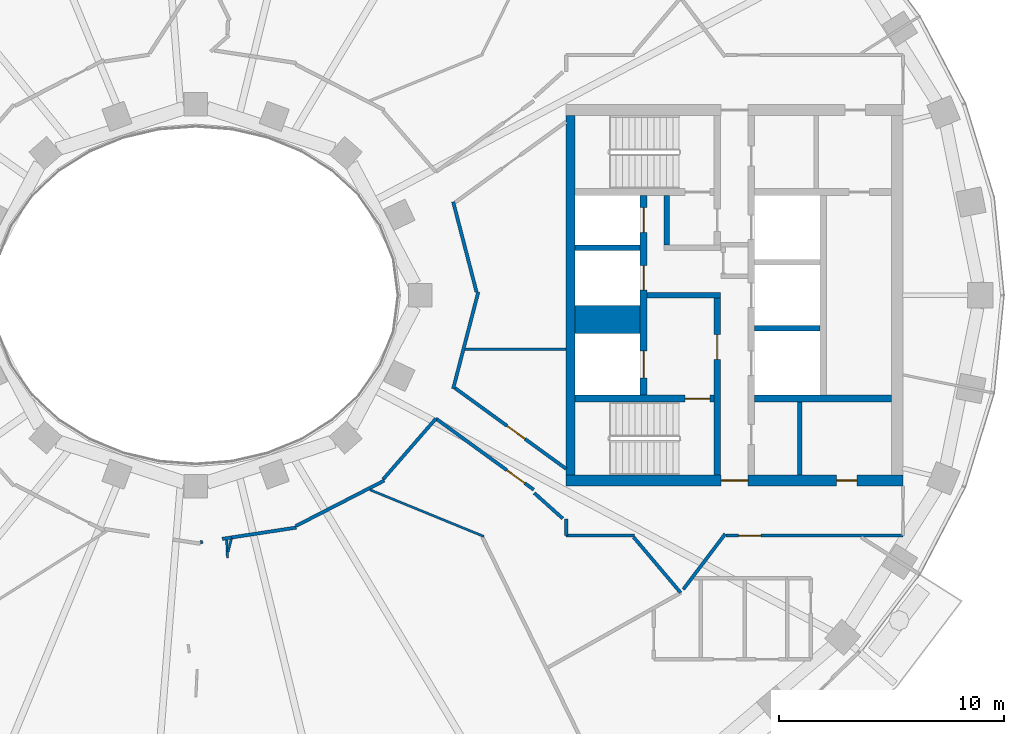
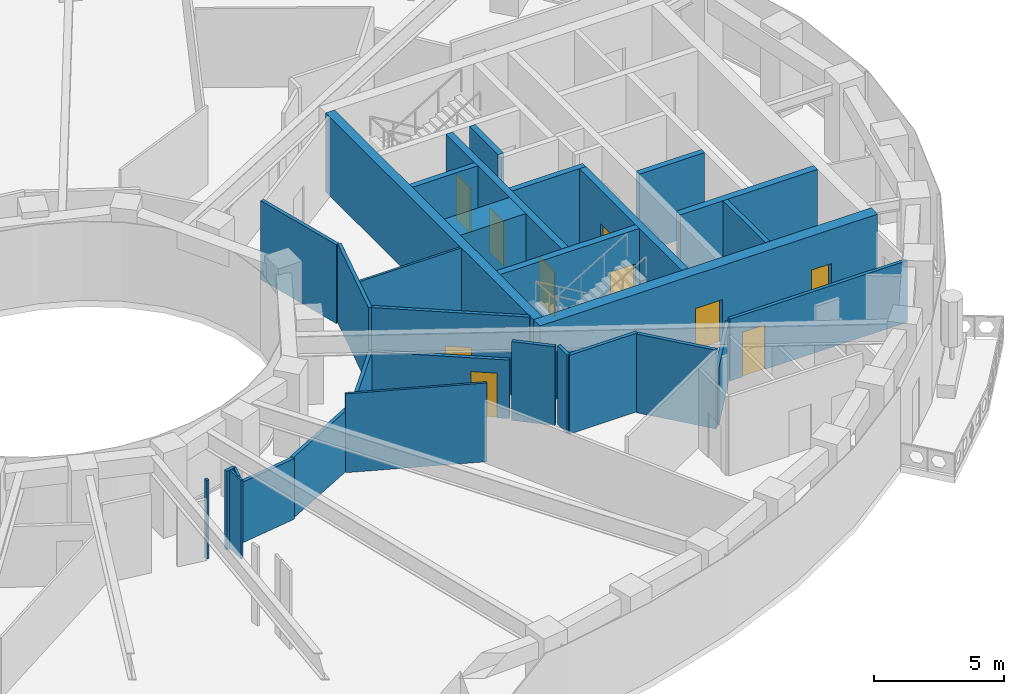
# One storey, part 5 of 17: 31 walls, 10 doors, 10 openings.
"""IFC4 building model written with IfcOpenShell, lengths in metres."""

from ifc_helpers import new_model, si_unit, direction, frame, frame_2d, origin, place, context, subcontext, project, spatial, rectangle, extrude, material, layer, layer_set, type_object, element, fill, save


model = new_model("IFC4")

# Units and contexts
model_context = context("Model", 3, precision=1e-05, world=origin(), true_north=direction((0.0, 1.0)))
body_context = subcontext(model_context, "Body", "Model", "MODEL_VIEW")
ifc_project = project(units=[si_unit("LENGTHUNIT", "METRE"), si_unit("AREAUNIT", "SQUARE_METRE"), si_unit("VOLUMEUNIT", "CUBIC_METRE"), si_unit("PLANEANGLEUNIT", "RADIAN"), si_unit("MASSUNIT", "GRAM", prefix="KILO")], contexts=[model_context])

# Site, building, storey
site_placement = place(None, origin())
site = spatial("IfcSite", under=ifc_project, at=site_placement, CompositionType="ELEMENT")
building_placement = place(site_placement, origin())
building = spatial("IfcBuilding", under=site, at=building_placement, Name="Noorbagh Ring Tower", CompositionType="ELEMENT")
storey_placement = place(building_placement, frame((0.0, 0.0, 190.0)))
storey = spatial("IfcBuildingStorey", under=building, at=storey_placement, Name="L44", CompositionType="ELEMENT", Elevation=190.0)

# Walls
ifc_material_1 = material(Name="Gypsum board on steel studs", Category="steel")
ifc_layer_1 = layer(ifc_material_1, 0.199951171875)
ifc_layer_set_1 = layer_set([ifc_layer_1], Name="Gypsum board on steel studs")
wall_type_1 = type_object("IfcWallType", Name="CORE-PARTITION-200", PredefinedType="PARTITIONING", material=ifc_layer_set_1)
wall_1_placement = place(storey_placement, frame((26.89990234375, -8.0, 0.0), z_axis=(0.0, 0.0, 1.0), x_axis=(0.0, 1.0, 0.0)))
element("IfcWall", 1, at=wall_1_placement, inside=storey, type_object=wall_type_1, Name="Core partition E", PredefinedType="PARTITIONING", context=body_context, shape_type="SweptSolid", body=[
    extrude(rectangle(XDim=3.25, YDim=0.199951171875, at=frame_2d((1.625, 0.0))), origin(), (0.0, 0.0, 1.0), 3.699951171875),
])
ifc_material_2 = material(Name="Concrete C60/75", Category="concrete")
ifc_layer_2 = layer(ifc_material_2, 1.25)
ifc_layer_set_2 = layer_set([ifc_layer_2], Name="Concrete C60/75")
wall_type_2 = type_object("IfcWallType", Name="CORE-WALL-1250-C60-75-EI120", PredefinedType="SHEAR", material=ifc_layer_set_2)
wall_2_placement = place(storey_placement, frame((16.89990234375, -1.074951171875, 0.0), z_axis=(0.0, 0.0, 1.0), x_axis=(1.0, 0.0, 0.0)))
element("IfcWall", 2, at=wall_2_placement, inside=storey, type_object=wall_type_2, Name="Core wall E", PredefinedType="SHEAR", context=body_context, shape_type="SweptSolid", body=[
    extrude(rectangle(XDim=2.900146484375, YDim=1.25, at=frame_2d((1.4501953125, 0.0))), origin(), (0.0, 0.0, 1.0), 3.699951171875),
])
ifc_material_3 = material(Name="Concrete C60/75", Category="concrete")
ifc_layer_3 = layer(ifc_material_3, 0.25)
ifc_layer_set_3 = layer_set([ifc_layer_3], Name="Concrete C60/75")
wall_type_3 = type_object("IfcWallType", Name="CORE-WALL-250-C60-75-EI120", PredefinedType="SHEAR", material=ifc_layer_set_3)
for number, where, z_axis, x_axis, name in (
    (3, (16.89990234375, 2.125, 0.0), (0.0, 0.0, 1.0), (1.0, 0.0, 0.0), "Core wall E"),
    (4, (24.89990234375, -1.47509765625, 0.0), (0.0, 0.0, 1.0), (1.0, 0.0, 0.0), "Core wall E"),
):
    element("IfcWall", number, at=place(storey_placement, frame(where, z_axis=z_axis, x_axis=x_axis)), inside=storey, type_object=wall_type_3, Name=name, PredefinedType="SHEAR", context=body_context, shape_type="SweptSolid", body=[
        extrude(rectangle(XDim=2.900146484375, YDim=0.25, at=frame_2d((1.4501953125, 0.0))), origin(), (0.0, 0.0, 1.0), 3.699951171875),
    ])
ifc_material_4 = material(Name="Concrete C60/75", Category="concrete")
ifc_layer_4 = layer(ifc_material_4, 0.25)
ifc_layer_set_4 = layer_set([ifc_layer_4], Name="Concrete C60/75")
wall_type_4 = type_object("IfcWallType", Name="CORE-WALL-250-C60-75-EI240", PredefinedType="SHEAR", material=ifc_layer_set_4)
wall_3_placement = place(storey_placement, frame((20.10009765625, 0.0, 0.0), z_axis=(0.0, 0.0, 1.0), x_axis=(1.0, 0.0, 0.0)))
element("IfcWall", 5, at=wall_3_placement, inside=storey, type_object=wall_type_4, Name="Core wall E", PredefinedType="SHEAR", context=body_context, shape_type="SweptSolid", body=[
    extrude(rectangle(XDim=3.27978515625, YDim=0.25, at=frame_2d((1.639892578125, 0.0))), origin(), (0.0, 0.0, 1.0), 3.699951171875),
])
wall_4_placement = place(storey_placement, frame((20.97509765625, 2.25, 0.0), z_axis=(0.0, 0.0, 1.0), x_axis=(0.0, 1.0, 0.0)))
element("IfcWall", 6, at=wall_4_placement, inside=storey, type_object=wall_type_4, Name="Core wall E", PredefinedType="SHEAR", context=body_context, shape_type="SweptSolid", body=[
    extrude(rectangle(XDim=2.199951171875, YDim=0.25, at=frame_2d((1.10009765625, 0.0))), origin(), (0.0, 0.0, 1.0), 3.699951171875),
])

# Wall, openings, doors
ifc_material_5 = material(Name="Concrete C60/75", Category="concrete")
ifc_layer_5 = layer(ifc_material_5, 0.300048828125)
ifc_layer_set_5 = layer_set([ifc_layer_5], Name="Concrete C60/75")
wall_type_5 = type_object("IfcWallType", Name="CORE-WALL-300-C60-75-EI120", PredefinedType="SHEAR", material=ifc_layer_set_5)
wall_5_placement = place(storey_placement, frame((19.949951171875, -4.449951171875, 0.0), z_axis=(0.0, 0.0, 1.0), x_axis=(0.0, 1.0, 0.0)))
wall_5 = element("IfcWall", 7, at=wall_5_placement, inside=storey, type_object=wall_type_5, Name="Core wall E", PredefinedType="SHEAR", context=body_context, shape_type="SweptSolid", body=[
    extrude(rectangle(XDim=8.89990234375, YDim=0.300048828125, at=frame_2d((4.449951171875, 0.0))), origin(), (0.0, 0.0, 1.0), 3.699951171875),
])
opening_1_placement = place(wall_5_placement, frame((0.77490234375, 0.0, 0.0)))
opening_1 = element("IfcOpeningElement", 8, at=opening_1_placement, cuts=wall_5, Name="Opening L44-CE01", PredefinedType="OPENING", context=body_context, shape_type="SweptSolid", body=[
    extrude(rectangle(XDim=1.199951171875, YDim=2.10009765625, at=frame_2d((0.60009765625, 1.050048828125))), frame((0.0, 0.16015625, 0.0), z_axis=(0.0, -1.0, 0.0), x_axis=(1.0, 0.0, 0.0)), (0.0, 0.0, 1.0), 0.320068359375),
])
opening_2_placement = place(wall_5_placement, frame((4.675048828125, 0.0, 0.0)))
opening_2 = element("IfcOpeningElement", 9, at=opening_2_placement, cuts=wall_5, Name="Opening L44-CE02", PredefinedType="OPENING", context=body_context, shape_type="SweptSolid", body=[
    extrude(rectangle(XDim=1.10009765625, YDim=2.10009765625, at=frame_2d((0.550048828125, 1.050048828125))), frame((0.0, 0.16015625, 0.0), z_axis=(0.0, -1.0, 0.0), x_axis=(1.0, 0.0, 0.0)), (0.0, 0.0, 1.0), 0.320068359375),
])
opening_3_placement = place(wall_5_placement, frame((7.25, 0.0, 0.0)))
opening_3 = element("IfcOpeningElement", 10, at=opening_3_placement, cuts=wall_5, Name="Opening L44-CE03", PredefinedType="OPENING", context=body_context, shape_type="SweptSolid", body=[
    extrude(rectangle(XDim=1.10009765625, YDim=2.10009765625, at=frame_2d((0.550048828125, 1.050048828125))), frame((0.0, 0.16015625, 0.0), z_axis=(0.0, -1.0, 0.0), x_axis=(1.0, 0.0, 0.0)), (0.0, 0.0, 1.0), 0.320068359375),
])
ifc_material_6 = material(Name="Steel door leaf", Category="steel")
door_type_1 = type_object("IfcDoorType", Name="CORE-DOOR-LD", OperationType="DOUBLE_DOOR_SLIDING", PredefinedType="DOOR", material=ifc_material_6)
door_1_placement = place(opening_2_placement, origin())
door_1 = element("IfcDoor", 11, at=door_1_placement, inside=storey, type_object=door_type_1, Name="Landing door HR7 L44-CE02", OperationType="DOUBLE_DOOR_SLIDING", OverallHeight=2.10009765625, OverallWidth=1.10009765625, PredefinedType="DOOR", context=body_context, shape_type="SweptSolid", body=[
    extrude(rectangle(XDim=1.10009765625, YDim=2.10009765625, at=frame_2d((0.550048828125, 1.050048828125))), frame((0.0, 0.02490234375, 0.0), z_axis=(0.0, -1.0, 0.0), x_axis=(1.0, 0.0, 0.0)), (0.0, 0.0, 1.0), 0.050048828125),
])
fill(opening_2, door_1)
door_2_placement = place(opening_3_placement, origin())
door_2 = element("IfcDoor", 12, at=door_2_placement, inside=storey, type_object=door_type_1, Name="Landing door HR8 L44-CE03", OperationType="DOUBLE_DOOR_SLIDING", OverallHeight=2.10009765625, OverallWidth=1.10009765625, PredefinedType="DOOR", context=body_context, shape_type="SweptSolid", body=[
    extrude(rectangle(XDim=1.10009765625, YDim=2.10009765625, at=frame_2d((0.550048828125, 1.050048828125))), frame((0.0, 0.02490234375, 0.0), z_axis=(0.0, -1.0, 0.0), x_axis=(1.0, 0.0, 0.0)), (0.0, 0.0, 1.0), 0.050048828125),
])
fill(opening_3, door_2)
ifc_material_7 = material(Name="Steel door leaf", Category="steel")
door_type_2 = type_object("IfcDoorType", Name="CORE-DOOR-LDW", OperationType="DOUBLE_DOOR_SLIDING", PredefinedType="DOOR", material=ifc_material_7)
door_3_placement = place(opening_1_placement, origin())
door_3 = element("IfcDoor", 13, at=door_3_placement, inside=storey, type_object=door_type_2, Name="Landing door FF2 L44-CE01", OperationType="DOUBLE_DOOR_SLIDING", OverallHeight=2.10009765625, OverallWidth=1.199951171875, PredefinedType="DOOR", context=body_context, shape_type="SweptSolid", body=[
    extrude(rectangle(XDim=1.199951171875, YDim=2.10009765625, at=frame_2d((0.60009765625, 1.050048828125))), frame((0.0, 0.02490234375, 0.0), z_axis=(0.0, -1.0, 0.0), x_axis=(1.0, 0.0, 0.0)), (0.0, 0.0, 1.0), 0.050048828125),
])
fill(opening_1, door_3)

# Wall
ifc_material_8 = material(Name="Concrete C60/75", Category="concrete")
ifc_layer_6 = layer(ifc_material_8, 0.300048828125)
ifc_layer_set_6 = layer_set([ifc_layer_6], Name="Concrete C60/75")
wall_type_6 = type_object("IfcWallType", Name="CORE-WALL-300-C60-75-EI240", PredefinedType="SHEAR", material=ifc_layer_set_6)
wall_6_placement = place(storey_placement, frame((24.89990234375, -4.60009765625, 0.0), z_axis=(0.0, 0.0, 1.0), x_axis=(1.0, 0.0, 0.0)))
element("IfcWall", 14, at=wall_6_placement, inside=storey, type_object=wall_type_6, Name="Core wall E", PredefinedType="SHEAR", context=body_context, shape_type="SweptSolid", body=[
    extrude(rectangle(XDim=6.10009765625, YDim=0.300048828125, at=frame_2d((3.050048828125, 0.0))), origin(), (0.0, 0.0, 1.0), 3.699951171875),
])

# Wall, opening, door
wall_7_placement = place(storey_placement, frame((23.22998046875, -8.0, 0.0), z_axis=(0.0, 0.0, 1.0), x_axis=(0.0, 1.0, 0.0)))
wall_7 = element("IfcWall", 15, at=wall_7_placement, inside=storey, type_object=wall_type_6, Name="Core wall E", PredefinedType="SHEAR", context=body_context, shape_type="SweptSolid", body=[
    extrude(rectangle(XDim=7.875, YDim=0.300048828125, at=frame_2d((3.9375, 0.0))), origin(), (0.0, 0.0, 1.0), 3.699951171875),
])
opening_4_placement = place(wall_7_placement, frame((5.14990234375, 0.0, 0.0)))
opening_4 = element("IfcOpeningElement", 16, at=opening_4_placement, cuts=wall_7, Name="Opening L44-CE09", PredefinedType="OPENING", context=body_context, shape_type="SweptSolid", body=[
    extrude(rectangle(XDim=1.10009765625, YDim=2.10009765625, at=frame_2d((0.550048828125, 1.050048828125))), frame((0.0, 0.16015625, 0.0), z_axis=(0.0, -1.0, 0.0), x_axis=(1.0, 0.0, 0.0)), (0.0, 0.0, 1.0), 0.320068359375),
])
ifc_material_9 = material(Name="Steel door leaf", Category="steel")
door_type_3 = type_object("IfcDoorType", Name="CORE-DOOR-DFF", OperationType="SINGLE_SWING_LEFT", PredefinedType="DOOR", material=ifc_material_9)
door_4_placement = place(opening_4_placement, origin())
door_4 = element("IfcDoor", 17, at=door_4_placement, inside=storey, type_object=door_type_3, Name="Firefighting lobby door L44-CE09", OperationType="SINGLE_SWING_RIGHT", OverallHeight=2.10009765625, OverallWidth=1.10009765625, PredefinedType="DOOR", context=body_context, shape_type="SweptSolid", body=[
    extrude(rectangle(XDim=1.10009765625, YDim=2.10009765625, at=frame_2d((0.550048828125, 1.050048828125))), frame((0.0, 0.02490234375, 0.0), z_axis=(0.0, -1.0, 0.0), x_axis=(1.0, 0.0, 0.0)), (0.0, 0.0, 1.0), 0.050048828125),
])
fill(opening_4, door_4)

wall_8_placement = place(storey_placement, frame((16.89990234375, -4.60009765625, 0.0), z_axis=(0.0, 0.0, 1.0), x_axis=(1.0, 0.0, 0.0)))
wall_8 = element("IfcWall", 18, at=wall_8_placement, inside=storey, type_object=wall_type_6, Name="Core wall E", PredefinedType="SHEAR", context=body_context, shape_type="SweptSolid", body=[
    extrude(rectangle(XDim=6.18017578125, YDim=0.300048828125, at=frame_2d((3.090087890625, 0.0))), origin(), (0.0, 0.0, 1.0), 3.699951171875),
])
opening_5_placement = place(wall_8_placement, frame((4.89990234375, 0.0, 0.0)))
opening_5 = element("IfcOpeningElement", 19, at=opening_5_placement, cuts=wall_8, Name="Opening L44-CE08", PredefinedType="OPENING", context=body_context, shape_type="SweptSolid", body=[
    extrude(rectangle(XDim=1.10009765625, YDim=2.10009765625, at=frame_2d((0.550048828125, 1.050048828125))), frame((0.0, 0.16015625, 0.0), z_axis=(0.0, -1.0, 0.0), x_axis=(1.0, 0.0, 0.0)), (0.0, 0.0, 1.0), 0.320068359375),
])
ifc_material_10 = material(Name="Steel door leaf", Category="steel")
door_type_4 = type_object("IfcDoorType", Name="CORE-DOOR-DSTAIR", OperationType="SINGLE_SWING_LEFT", PredefinedType="DOOR", material=ifc_material_10)
door_5_placement = place(opening_5_placement, origin())
door_5 = element("IfcDoor", 20, at=door_5_placement, inside=storey, type_object=door_type_4, Name="Stair door ST4 L44-CE08", OperationType="SINGLE_SWING_RIGHT", OverallHeight=2.10009765625, OverallWidth=1.10009765625, PredefinedType="DOOR", context=body_context, shape_type="SweptSolid", body=[
    extrude(rectangle(XDim=1.10009765625, YDim=2.10009765625, at=frame_2d((0.550048828125, 1.050048828125))), frame((0.0, 0.02490234375, 0.0), z_axis=(0.0, -1.0, 0.0), x_axis=(1.0, 0.0, 0.0)), (0.0, 0.0, 1.0), 0.050048828125),
])
fill(opening_5, door_5)

# Wall
ifc_material_11 = material(Name="Concrete C60/75", Category="concrete")
ifc_layer_7 = layer(ifc_material_11, 0.39990234375)
ifc_layer_set_7 = layer_set([ifc_layer_7], Name="Concrete C60/75")
wall_type_7 = type_object("IfcWallType", Name="CORE-WALL-400-C60-75-EI240", PredefinedType="SHEAR", material=ifc_layer_set_7)
wall_9_placement = place(storey_placement, frame((16.699951171875, -8.0, 0.0), z_axis=(0.0, 0.0, 1.0), x_axis=(0.0, 1.0, 0.0)))
element("IfcWall", 21, at=wall_9_placement, inside=storey, type_object=wall_type_7, Name="Core wall E", PredefinedType="SHEAR", context=body_context, shape_type="SweptSolid", body=[
    extrude(rectangle(XDim=16.0, YDim=0.39990234375, at=frame_2d((8.0, 0.0))), origin(), (0.0, 0.0, 1.0), 3.699951171875),
])

# Wall, openings, doors
ifc_material_12 = material(Name="Concrete C60/75", Category="concrete")
ifc_layer_8 = layer(ifc_material_12, 0.5)
ifc_layer_set_8 = layer_set([ifc_layer_8], Name="Concrete C60/75")
wall_type_8 = type_object("IfcWallType", Name="CORE-WALL-500-C60-75-EI240", PredefinedType="SHEAR", material=ifc_layer_set_8)
wall_10_placement = place(storey_placement, frame((16.5, -8.25, 0.0), z_axis=(0.0, 0.0, 1.0), x_axis=(1.0, 0.0, 0.0)))
wall_10 = element("IfcWall", 22, at=wall_10_placement, inside=storey, type_object=wall_type_8, Name="Core wall E", PredefinedType="SHEAR", context=body_context, shape_type="SweptSolid", body=[
    extrude(rectangle(XDim=15.0, YDim=0.5, at=frame_2d((7.5, 0.0))), origin(), (0.0, 0.0, 1.0), 3.699951171875),
])
opening_6_placement = place(wall_10_placement, frame((6.89990234375, 0.0, 0.0)))
opening_6 = element("IfcOpeningElement", 23, at=opening_6_placement, cuts=wall_10, Name="Opening L44-CE12", PredefinedType="OPENING", context=body_context, shape_type="SweptSolid", body=[
    extrude(rectangle(XDim=1.199951171875, YDim=2.10009765625, at=frame_2d((0.60009765625, 1.050048828125))), frame((0.0, 0.260009765625, 0.0), z_axis=(0.0, -1.0, 0.0), x_axis=(1.0, 0.0, 0.0)), (0.0, 0.0, 1.0), 0.52001953125),
])
opening_7_placement = place(wall_10_placement, frame((12.050048828125, 0.0, 0.0)))
opening_7 = element("IfcOpeningElement", 24, at=opening_7_placement, cuts=wall_10, Name="Opening L44-CE16", PredefinedType="OPENING", context=body_context, shape_type="SweptSolid", body=[
    extrude(rectangle(XDim=0.89990234375, YDim=2.10009765625, at=frame_2d((0.449951171875, 1.050048828125))), frame((0.0, 0.260009765625, 0.0), z_axis=(0.0, -1.0, 0.0), x_axis=(1.0, 0.0, 0.0)), (0.0, 0.0, 1.0), 0.52001953125),
])
ifc_material_13 = material(Name="Steel door leaf", Category="steel")
door_type_5 = type_object("IfcDoorType", Name="CORE-DOOR-DROOM", OperationType="SINGLE_SWING_LEFT", PredefinedType="DOOR", material=ifc_material_13)
door_6_placement = place(opening_7_placement, origin())
door_6 = element("IfcDoor", 25, at=door_6_placement, inside=storey, type_object=door_type_5, Name="Core room door L44-CE16", OperationType="SINGLE_SWING_RIGHT", OverallHeight=2.10009765625, OverallWidth=0.89990234375, PredefinedType="DOOR", context=body_context, shape_type="SweptSolid", body=[
    extrude(rectangle(XDim=0.89990234375, YDim=2.10009765625, at=frame_2d((0.449951171875, 1.050048828125))), frame((0.0, 0.02490234375, 0.0), z_axis=(0.0, -1.0, 0.0), x_axis=(1.0, 0.0, 0.0)), (0.0, 0.0, 1.0), 0.050048828125),
])
fill(opening_7, door_6)
ifc_material_14 = material(Name="Steel door leaf", Category="steel")
door_type_6 = type_object("IfcDoorType", Name="CORE-DOOR-PORT", OperationType="DOUBLE_DOOR_DOUBLE_SWING", PredefinedType="DOOR", material=ifc_material_14)
door_7_placement = place(opening_6_placement, origin())
door_7 = element("IfcDoor", 26, at=door_7_placement, inside=storey, type_object=door_type_6, Name="Core entrance door L44-CE12", OperationType="DOUBLE_DOOR_DOUBLE_SWING", OverallHeight=2.10009765625, OverallWidth=1.199951171875, PredefinedType="DOOR", context=body_context, shape_type="SweptSolid", body=[
    extrude(rectangle(XDim=1.199951171875, YDim=2.10009765625, at=frame_2d((0.60009765625, 1.050048828125))), frame((0.0, 0.02490234375, 0.0), z_axis=(0.0, -1.0, 0.0), x_axis=(1.0, 0.0, 0.0)), (0.0, 0.0, 1.0), 0.050048828125),
])
fill(opening_6, door_7)

# Walls
ifc_material_15 = material(Name="Gypsum board on steel studs", Category="steel")
ifc_layer_9 = layer(ifc_material_15, 0.14990234375)
ifc_layer_set_9 = layer_set([ifc_layer_9], Name="Gypsum board on steel studs")
wall_type_9 = type_object("IfcWallType", Name="CORRIDOR PARTITION 150 EI 30", PredefinedType="PARTITIONING", material=ifc_layer_set_9)
wall_11_placement = place(storey_placement, frame((0.2119140625, -10.998046875, 0.0), z_axis=(0.0, 0.0, 1.0), x_axis=(0.987744880268, 0.156077069117, 0.0)))
element("IfcWall", 27, at=wall_11_placement, inside=storey, type_object=wall_type_9, Name="L44/wall/P33", PredefinedType="PARTITIONING", context=body_context, shape_type="SweptSolid", body=[
    extrude(rectangle(XDim=0.109375, YDim=0.14990234375, at=frame_2d((0.0546875, 0.0))), origin(), (0.0, 0.0, 1.0), 3.699951171875),
])
wall_12_placement = place(storey_placement, frame((1.18701171875, -10.847900390625, 0.0), z_axis=(0.0, 0.0, 1.0), x_axis=(0.988453033142, 0.151527559448, 0.0)))
element("IfcWall", 28, at=wall_12_placement, inside=storey, type_object=wall_type_9, Name="L44/wall/P41", PredefinedType="PARTITIONING", context=body_context, shape_type="SweptSolid", body=[
    extrude(rectangle(XDim=0.415771484375, YDim=0.14990234375, at=frame_2d((0.2080078125, 0.0))), origin(), (0.0, 0.0, 1.0), 3.699951171875),
])
wall_13_placement = place(storey_placement, frame((1.509033203125, -10.799072265625, 0.0), z_axis=(0.0, 0.0, 1.0), x_axis=(0.988471026145, 0.151410139924, 0.0)))
element("IfcWall", 29, at=wall_13_placement, inside=storey, type_object=wall_type_9, Name="L44/wall/P45", PredefinedType="PARTITIONING", context=body_context, shape_type="SweptSolid", body=[
    extrude(rectangle(XDim=3.005615234375, YDim=0.14990234375, at=frame_2d((1.5029296875, 0.0))), origin(), (0.0, 0.0, 1.0), 2.85009765625),
])
wall_14_placement = place(storey_placement, frame((4.458984375, -10.278076171875, 0.0), z_axis=(0.0, 0.0, 1.0), x_axis=(0.889360097773, 0.457207410799, 0.0)))
element("IfcWall", 30, at=wall_14_placement, inside=storey, type_object=wall_type_9, Name="L44/wall/P47", PredefinedType="PARTITIONING", context=body_context, shape_type="SweptSolid", body=[
    extrude(rectangle(XDim=4.43359375, YDim=0.14990234375, at=frame_2d((2.216796875, 0.0))), origin(), (0.0, 0.0, 1.0), 2.85009765625),
])
wall_15_placement = place(storey_placement, frame((8.35498046875, -8.18994140625, 0.0), z_axis=(0.0, 0.0, 1.0), x_axis=(0.656332459324, 0.754471803871, 0.0)))
element("IfcWall", 31, at=wall_15_placement, inside=storey, type_object=wall_type_9, Name="L44/wall/P51", PredefinedType="PARTITIONING", context=body_context, shape_type="SweptSolid", body=[
    extrude(rectangle(XDim=3.577392578125, YDim=0.14990234375, at=frame_2d((1.78857421875, 0.0))), origin(), (0.0, 0.0, 1.0), 2.75),
])

# Wall, opening, door
wall_16_placement = place(storey_placement, frame((10.702880859375, -5.490966796875, 0.0), z_axis=(0.0, 0.0, 1.0), x_axis=(0.808838005268, -0.588031530816, 0.0)))
wall_16 = element("IfcWall", 32, at=wall_16_placement, inside=storey, type_object=wall_type_9, Name="L44/wall/P53", PredefinedType="PARTITIONING", context=body_context, shape_type="SweptSolid", body=[
    extrude(rectangle(XDim=5.3857421875, YDim=0.14990234375, at=frame_2d((2.69287109375, 0.0))), origin(), (0.0, 0.0, 1.0), 2.75),
])
opening_8_placement = place(wall_16_placement, frame((3.89990234375, 0.0, 0.0)))
opening_8 = element("IfcOpeningElement", 33, at=opening_8_placement, cuts=wall_16, Name="Opening D1", PredefinedType="OPENING", context=body_context, shape_type="SweptSolid", body=[
    extrude(rectangle(XDim=1.0, YDim=2.10009765625, at=frame_2d((0.5, 1.050048828125))), frame((0.0, 0.0849609375, 0.0), z_axis=(0.0, -1.0, 0.0), x_axis=(1.0, 0.0, 0.0)), (0.0, 0.0, 1.0), 0.169921875),
])
ifc_material_16 = material(Name="Timber, painted", Category="wood")
door_type_7 = type_object("IfcDoorType", Name="DOOR 1000 X 2100 FD30", OperationType="SINGLE_SWING_LEFT", PredefinedType="DOOR", material=ifc_material_16)
door_8_placement = place(opening_8_placement, origin())
door_8 = element("IfcDoor", 34, at=door_8_placement, inside=storey, type_object=door_type_7, Name="L44-D12", OperationType="SINGLE_SWING_RIGHT", OverallHeight=2.10009765625, OverallWidth=1.0, PredefinedType="DOOR", context=body_context, shape_type="SweptSolid", body=[
    extrude(rectangle(XDim=1.0, YDim=2.10009765625, at=frame_2d((0.5, 1.050048828125))), frame((0.0, 0.02490234375, 0.0), z_axis=(0.0, -1.0, 0.0), x_axis=(1.0, 0.0, 0.0)), (0.0, 0.0, 1.0), 0.050048828125),
])
fill(opening_8, door_8)

# Wall
wall_17_placement = place(storey_placement, frame((11.470947265625, -4.1640625, 0.0), z_axis=(0.0, 0.0, 1.0), x_axis=(0.250958355571, 0.967997884176, 0.0)))
element("IfcWall", 35, at=wall_17_placement, inside=storey, type_object=wall_type_9, Name="L44/wall/P55", PredefinedType="PARTITIONING", context=body_context, shape_type="SweptSolid", body=[
    extrude(rectangle(XDim=4.45556640625, YDim=0.14990234375, at=frame_2d((2.227783203125, 0.0))), origin(), (0.0, 0.0, 1.0), 3.699951171875),
])

# Wall, opening, door
wall_18_placement = place(storey_placement, frame((11.555908203125, -4.133056640625, 0.0), z_axis=(0.0, 0.0, 1.0), x_axis=(0.808869060288, -0.587988812231, 0.0)))
wall_18 = element("IfcWall", 36, at=wall_18_placement, inside=storey, type_object=wall_type_9, Name="L44/wall/P56", PredefinedType="PARTITIONING", context=body_context, shape_type="SweptSolid", body=[
    extrude(rectangle(XDim=6.1123046875, YDim=0.14990234375, at=frame_2d((3.05615234375, 0.0))), origin(), (0.0, 0.0, 1.0), 3.699951171875),
])
opening_9_placement = place(wall_18_placement, frame((2.858154296875, 0.0, 0.0)))
opening_9 = element("IfcOpeningElement", 37, at=opening_9_placement, cuts=wall_18, Name="Opening D1", PredefinedType="OPENING", context=body_context, shape_type="SweptSolid", body=[
    extrude(rectangle(XDim=1.0, YDim=2.10009765625, at=frame_2d((0.5, 1.050048828125))), frame((0.0, 0.0849609375, 0.0), z_axis=(0.0, -1.0, 0.0), x_axis=(1.0, 0.0, 0.0)), (0.0, 0.0, 1.0), 0.169921875),
])
door_9_placement = place(opening_9_placement, origin())
door_9 = element("IfcDoor", 38, at=door_9_placement, inside=storey, type_object=door_type_7, Name="L44-D19", OperationType="SINGLE_SWING_LEFT", OverallHeight=2.10009765625, OverallWidth=1.0, PredefinedType="DOOR", context=body_context, shape_type="SweptSolid", body=[
    extrude(rectangle(XDim=1.0, YDim=2.10009765625, at=frame_2d((0.5, 1.050048828125))), frame((0.0, 0.02490234375, 0.0), z_axis=(0.0, -1.0, 0.0), x_axis=(1.0, 0.0, 0.0)), (0.0, 0.0, 1.0), 0.050048828125),
])
fill(opening_9, door_9)

# Walls
wall_19_placement = place(storey_placement, frame((11.470947265625, 4.1640625, 0.0), z_axis=(0.0, 0.0, 1.0), x_axis=(0.250753789182, -0.968050895982, 0.0)))
element("IfcWall", 39, at=wall_19_placement, inside=storey, type_object=wall_type_9, Name="L44/wall/P57", PredefinedType="PARTITIONING", context=body_context, shape_type="SweptSolid", body=[
    extrude(rectangle(XDim=4.147705078125, YDim=0.14990234375, at=frame_2d((2.07373046875, 0.0))), origin(), (0.0, 0.0, 1.0), 3.699951171875),
])
wall_20_placement = place(storey_placement, frame((16.5, -10.699951171875, 0.0), z_axis=(0.0, 0.0, 1.0), x_axis=(0.0, 1.0, 0.0)))
element("IfcWall", 40, at=wall_20_placement, inside=storey, type_object=wall_type_9, Name="L44/wall/P64", PredefinedType="PARTITIONING", context=body_context, shape_type="SweptSolid", body=[
    extrude(rectangle(XDim=0.73583984375, YDim=0.14990234375, at=frame_2d((0.367919921875, 0.0))), origin(), (0.0, 0.0, 1.0), 3.699951171875),
])
wall_21_placement = place(storey_placement, frame((16.5, -10.699951171875, 0.0), z_axis=(0.0, 0.0, 1.0), x_axis=(1.0, 0.0, 0.0)))
element("IfcWall", 41, at=wall_21_placement, inside=storey, type_object=wall_type_9, Name="L44/wall/P65", PredefinedType="PARTITIONING", context=body_context, shape_type="SweptSolid", body=[
    extrude(rectangle(XDim=3.04296875, YDim=0.14990234375, at=frame_2d((1.521484375, 0.0))), origin(), (0.0, 0.0, 1.0), 3.699951171875),
])
wall_22_placement = place(storey_placement, frame((19.510986328125, -10.778076171875, 0.0), z_axis=(0.0, 0.0, 1.0), x_axis=(0.646314086505, -0.763071491792, 0.0)))
element("IfcWall", 42, at=wall_22_placement, inside=storey, type_object=wall_type_9, Name="L44/wall/P68", PredefinedType="PARTITIONING", context=body_context, shape_type="SweptSolid", body=[
    extrude(rectangle(XDim=3.23681640625, YDim=0.14990234375, at=frame_2d((1.618408203125, 0.0))), origin(), (0.0, 0.0, 1.0), 3.699951171875),
])
wall_23_placement = place(storey_placement, frame((21.716064453125, -13.097900390625, 0.0), z_axis=(0.0, 0.0, 1.0), x_axis=(0.603132715751, 0.797640851004, 0.0)))
element("IfcWall", 43, at=wall_23_placement, inside=storey, type_object=wall_type_9, Name="L44/wall/P72", PredefinedType="PARTITIONING", context=body_context, shape_type="SweptSolid", body=[
    extrude(rectangle(XDim=3.100341796875, YDim=0.14990234375, at=frame_2d((1.55029296875, 0.0))), origin(), (0.0, 0.0, 1.0), 2.75),
])

# Wall, opening, door
wall_24_placement = place(storey_placement, frame((23.623046875, -10.699951171875, 0.0), z_axis=(0.0, 0.0, 1.0), x_axis=(1.0, 0.0, 0.0)))
wall_24 = element("IfcWall", 44, at=wall_24_placement, inside=storey, type_object=wall_type_9, Name="L44/wall/P76", PredefinedType="PARTITIONING", context=body_context, shape_type="SweptSolid", body=[
    extrude(rectangle(XDim=7.876953125, YDim=0.14990234375, at=frame_2d((3.9384765625, 0.0))), origin(), (0.0, 0.0, 1.0), 2.89990234375),
])
opening_10_placement = place(wall_24_placement, frame((0.555908203125, 0.0, 0.0)))
opening_10 = element("IfcOpeningElement", 45, at=opening_10_placement, cuts=wall_24, Name="Opening D1", PredefinedType="OPENING", context=body_context, shape_type="SweptSolid", body=[
    extrude(rectangle(XDim=1.0, YDim=2.10009765625, at=frame_2d((0.5, 1.050048828125))), frame((0.0, 0.0849609375, 0.0), z_axis=(0.0, -1.0, 0.0), x_axis=(1.0, 0.0, 0.0)), (0.0, 0.0, 1.0), 0.169921875),
])
door_10_placement = place(opening_10_placement, origin())
door_10 = element("IfcDoor", 46, at=door_10_placement, inside=storey, type_object=door_type_7, Name="L44-D01", OperationType="SINGLE_SWING_LEFT", OverallHeight=2.10009765625, OverallWidth=1.0, PredefinedType="DOOR", context=body_context, shape_type="SweptSolid", body=[
    extrude(rectangle(XDim=1.0, YDim=2.10009765625, at=frame_2d((0.5, 1.050048828125))), frame((0.0, 0.02490234375, 0.0), z_axis=(0.0, -1.0, 0.0), x_axis=(1.0, 0.0, 0.0)), (0.0, 0.0, 1.0), 0.050048828125),
])
fill(opening_10, door_10)

# Walls
wall_25_placement = place(storey_placement, frame((16.35205078125, -9.94189453125, 0.0), z_axis=(0.0, 0.0, 1.0), x_axis=(-0.744832366149, 0.667251636444, 0.0)))
element("IfcWall", 47, at=wall_25_placement, inside=storey, type_object=wall_type_9, Name="L44/wall/P90", PredefinedType="PARTITIONING", context=body_context, shape_type="SweptSolid", body=[
    extrude(rectangle(XDim=1.702392578125, YDim=0.14990234375, at=frame_2d((0.85107421875, 0.0))), origin(), (0.0, 0.0, 1.0), 3.699951171875),
])
ifc_material_17 = material(Name="Gypsum board on steel studs", Category="steel")
ifc_layer_10 = layer(ifc_material_17, 0.10009765625)
ifc_layer_set_10 = layer_set([ifc_layer_10], Name="Gypsum board on steel studs")
wall_type_10 = type_object("IfcWallType", Name="PARTITION 100 GYPSUM", PredefinedType="PARTITIONING", material=ifc_layer_set_10)
wall_26_placement = place(storey_placement, frame((1.382080078125, -10.89404296875, 0.0), z_axis=(0.0, 0.0, 1.0), x_axis=(0.046552002261, -0.998915867872, 0.0)))
element("IfcWall", 48, at=wall_26_placement, inside=storey, type_object=wall_type_10, Name="L44/wall/P42", PredefinedType="PARTITIONING", context=body_context, shape_type="SweptSolid", body=[
    extrude(rectangle(XDim=0.81298828125, YDim=0.10009765625, at=frame_2d((0.406494140625, 0.0))), origin(), (0.0, 0.0, 1.0), 3.699951171875),
])
wall_27_placement = place(storey_placement, frame((1.448974609375, -11.424072265625, 0.0), z_axis=(0.0, 0.0, 1.0), x_axis=(0.240397182559, 0.970674608001, 0.0)))
element("IfcWall", 49, at=wall_27_placement, inside=storey, type_object=wall_type_10, Name="L44/wall/P44", PredefinedType="PARTITIONING", context=body_context, shape_type="SweptSolid", body=[
    extrude(rectangle(XDim=0.644775390625, YDim=0.10009765625, at=frame_2d((0.322265625, 0.0))), origin(), (0.0, 0.0, 1.0), 3.699951171875),
])
wall_28_placement = place(storey_placement, frame((7.764892578125, -8.662109375, 0.0), z_axis=(0.0, 0.0, 1.0), x_axis=(0.925440549198, -0.378892847519, 0.0)))
element("IfcWall", 50, at=wall_28_placement, inside=storey, type_object=wall_type_10, Name="L44/wall/P49", PredefinedType="PARTITIONING", context=body_context, shape_type="SweptSolid", body=[
    extrude(rectangle(XDim=5.484130859375, YDim=0.10009765625, at=frame_2d((2.7421875, 0.0))), origin(), (0.0, 0.0, 1.0), 3.699951171875),
])
wall_29_placement = place(storey_placement, frame((12.006103515625, -2.407958984375, 0.0), z_axis=(0.0, 0.0, 1.0), x_axis=(1.0, 0.0, 0.0)))
element("IfcWall", 51, at=wall_29_placement, inside=storey, type_object=wall_type_10, Name="L44/wall/P59", PredefinedType="PARTITIONING", context=body_context, shape_type="SweptSolid", body=[
    extrude(rectangle(XDim=4.493896484375, YDim=0.10009765625, at=frame_2d((2.2470703125, 0.0))), origin(), (0.0, 0.0, 1.0), 3.699951171875),
])

save(model, "model.ifc")
